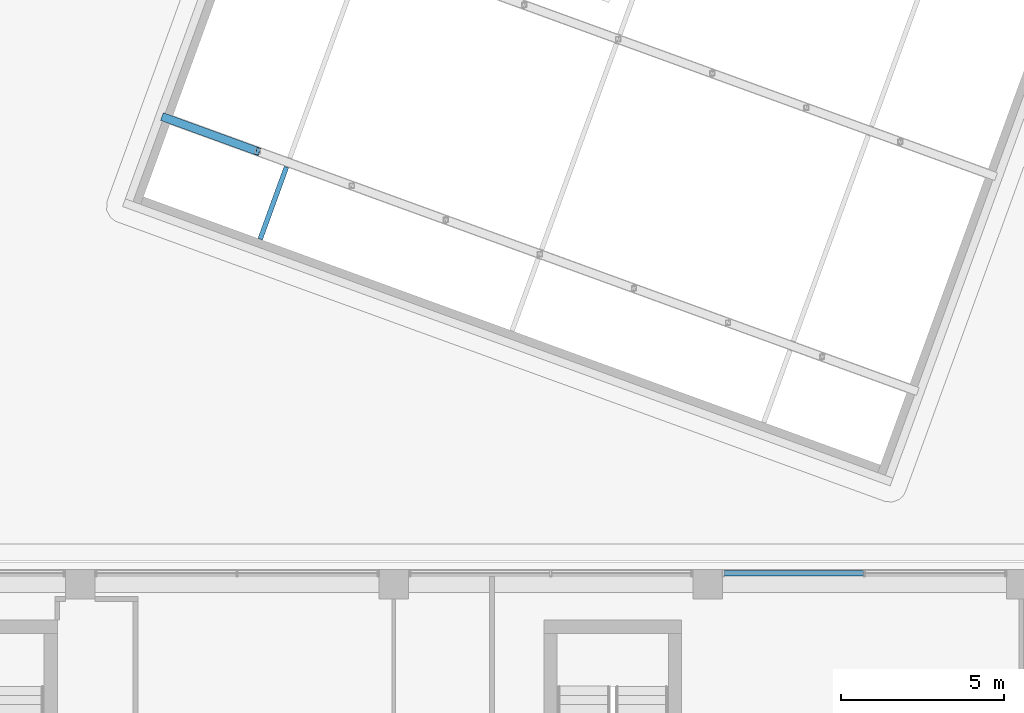
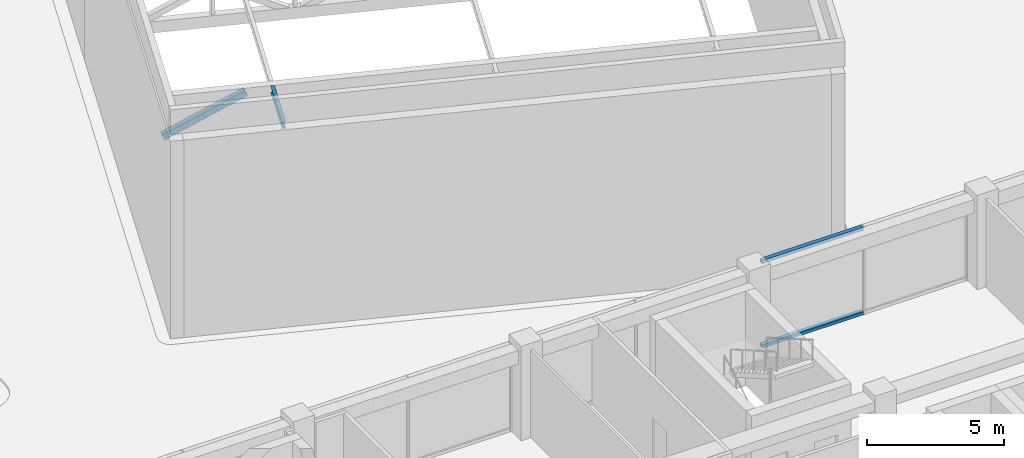
# One storey, part 23 of 72: 4 members, 1 element without a shape of its own.
"""IFC4 building model written with IfcOpenShell, lengths in metres."""

from ifc_helpers import new_model, si_unit, direction, frame, origin, origin_2d, place, context, subcontext, project, spatial, hollow_rectangle, i_section, extrude, material, layer, layer_set, material_profile, profile_set, type_object, element, aggregate, save


model = new_model("IFC4")

# Units and contexts
model_context = context("Model", 3, precision=1e-05, world=origin(), true_north=direction((0.0, 1.0)))
body_context = subcontext(model_context, "Body", "Model", "MODEL_VIEW")
ifc_project = project(units=[si_unit("LENGTHUNIT", "METRE"), si_unit("AREAUNIT", "SQUARE_METRE"), si_unit("VOLUMEUNIT", "CUBIC_METRE"), si_unit("PLANEANGLEUNIT", "RADIAN"), si_unit("MASSUNIT", "GRAM", prefix="KILO")], contexts=[model_context])

# Site, building, storey
site_placement = place(None, origin())
site = spatial("IfcSite", under=ifc_project, at=site_placement, CompositionType="ELEMENT")
building_placement = place(site_placement, origin())
building = spatial("IfcBuilding", under=site, at=building_placement, Name="Nzadi Deep Aquarium and Research Tower", CompositionType="ELEMENT")
storey_placement = place(building_placement, frame((0.0, 0.0, 31.89990234375)))
storey = spatial("IfcBuildingStorey", under=building, at=storey_placement, Name="L05", CompositionType="ELEMENT", Elevation=31.89990234375)

# Members
ifc_material_1 = material(Name="Steel S355", Category="steel")
ifc_material_profile_1 = material_profile(ifc_material_1, i_section(OverallWidth=0.14990234375, OverallDepth=0.300048828125, WebThickness=0.007080078125, FlangeThickness=0.0107421875, FilletRadius=0.014892578125, at=origin_2d()))
ifc_profile_set_1 = profile_set([ifc_material_profile_1], Name="Steel S355")
member_type_1 = type_object("IfcMemberType", Name="IPE 300", PredefinedType="PURLIN", material=ifc_profile_set_1)
member_1_placement = place(storey_placement, frame((15.109130859375, 56.56005859375, 8.650146484375), z_axis=(0.342009981554, 0.939696319306, 0.0), x_axis=(-0.939696319306, 0.342009981554, 0.0)))
element("IfcMember", 1, at=member_1_placement, inside=storey, type_object=member_type_1, Name="MB-PR-R1-PU1-1", PredefinedType="PURLIN", context=body_context, shape_type="SweptSolid", body=[
    extrude(i_section(OverallWidth=0.14990234375, OverallDepth=0.300048828125, WebThickness=0.007080078125, FlangeThickness=0.0107421875, FilletRadius=0.014892578125, at=origin_2d()), origin(), (0.0, 0.0, 1.0), 2.349853515625),
])
ifc_material_2 = material(Name="Steel S355", Category="steel")
ifc_material_profile_2 = material_profile(ifc_material_2, hollow_rectangle(XDim=0.25, YDim=0.25, WallThickness=0.01611328125, at=origin_2d()))
ifc_profile_set_2 = profile_set([ifc_material_profile_2], Name="Steel S355")
member_type_2 = type_object("IfcMemberType", Name="RHS 250x250x16 brace", PredefinedType="BRACE", material=ifc_profile_set_2)
member_2_placement = place(storey_placement, frame((12.158447265625, 60.29443359375, 6.9501953125), z_axis=(0.832889250835, -0.30318355746, 0.463006723848), x_axis=(0.342056666941, 0.939679326473, 0.0)))
element("IfcMember", 2, at=member_2_placement, inside=storey, type_object=member_type_2, Name="MB-PR-R1-T1-D1", PredefinedType="BRACE", context=body_context, shape_type="SweptSolid", body=[
    extrude(hollow_rectangle(XDim=0.25, YDim=0.25, WallThickness=0.01611328125, at=origin_2d()), origin(), (0.0, 0.0, 1.0), 3.455322265625),
])

# Curtain wall, members
ifc_material_3 = material(Name="Aluminium unitised frame deep", Category="aluminium")
ifc_layer = layer(ifc_material_3, 0.22509765625)
ifc_layer_set = layer_set([ifc_layer], Name="Aluminium unitised frame deep")
curtain_wall_type = type_object("IfcCurtainWallType", Name="Curtain wall Unitised Deep 225", PredefinedType="NOTDEFINED", material=ifc_layer_set)
curtain_wall_placement = place(storey_placement, origin())
curtain_wall = element("IfcCurtainWall", 3, at=curtain_wall_placement, inside=storey, type_object=curtain_wall_type, Name="Unitised curtain wall blade B north L05", PredefinedType="NOTDEFINED")
ifc_material_4 = material(Name="Aluminium unitised frame deep", Category="aluminium")
ifc_material_profile_3 = material_profile(ifc_material_4, hollow_rectangle(XDim=0.179931640625, YDim=0.139892578125, WallThickness=0.0048828125, at=origin_2d()))
ifc_profile_set_3 = profile_set([ifc_material_profile_3], Name="Aluminium unitised frame deep")
member_type_3 = type_object("IfcMemberType", Name="Transom 140x180 Unitised Deep", PredefinedType="MULLION", material=ifc_profile_set_3)
member_3_placement = place(storey_placement, frame((29.31005859375, 46.33740234375, 0.070068359375), z_axis=(1.0, 0.0, 0.0), x_axis=(0.0, 1.0, 0.0)))
member_3 = element("IfcMember", 4, at=member_3_placement, type_object=member_type_3, Name="CW086 transom 1.1", PredefinedType="MULLION", context=body_context, shape_type="SweptSolid", body=[
    extrude(hollow_rectangle(XDim=0.179931640625, YDim=0.139892578125, WallThickness=0.0048828125, at=origin_2d()), origin(), (0.0, 0.0, 1.0), 4.260009765625),
])
member_4_placement = place(storey_placement, frame((29.31005859375, 46.33740234375, 3.830078125), z_axis=(1.0, 0.0, 0.0), x_axis=(0.0, 1.0, 0.0)))
member_4 = element("IfcMember", 5, at=member_4_placement, type_object=member_type_3, Name="CW086 transom 1.2", PredefinedType="MULLION", context=body_context, shape_type="SweptSolid", body=[
    extrude(hollow_rectangle(XDim=0.179931640625, YDim=0.139892578125, WallThickness=0.0048828125, at=origin_2d()), origin(), (0.0, 0.0, 1.0), 4.260009765625),
])
aggregate(curtain_wall, [member_3, member_4])

save(model, "model.ifc")
